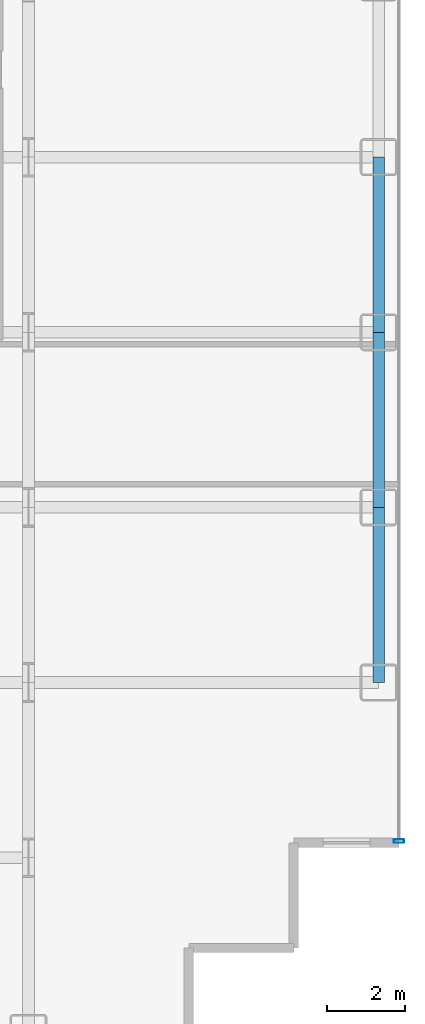
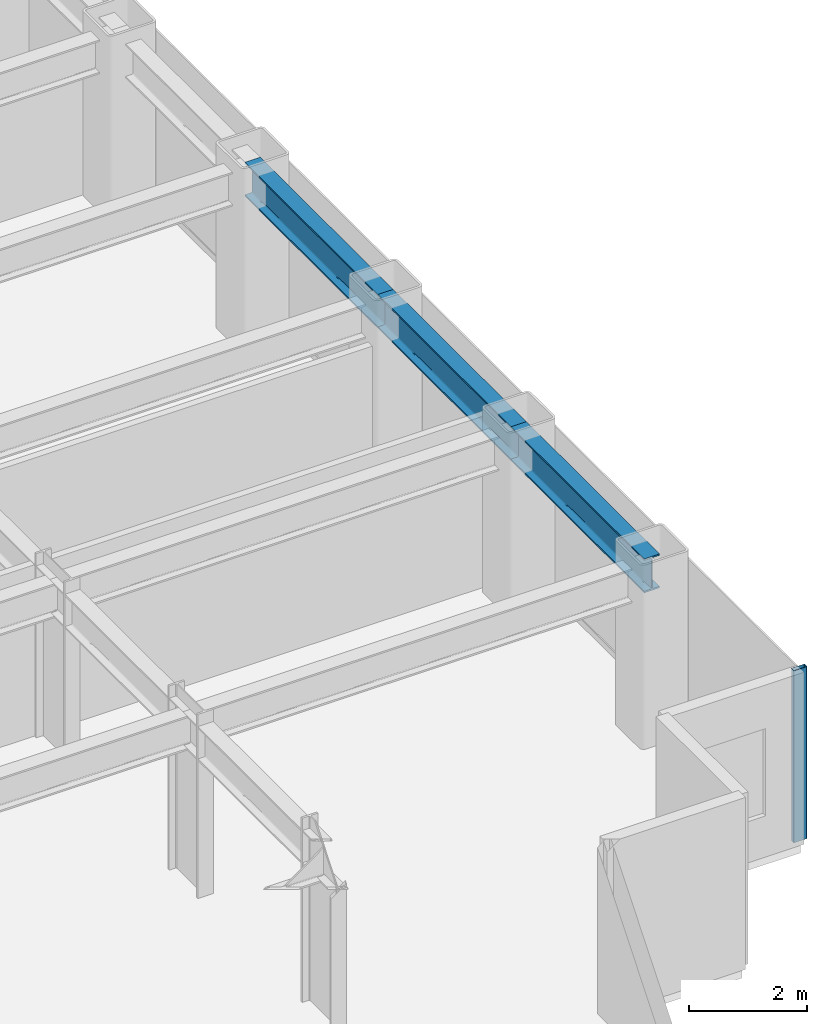
# One storey, part 16 of 26: 3 beams, 1 member, 1 element without a shape of its own.
"""IFC4 building model written with IfcOpenShell, lengths in metres."""

from ifc_helpers import new_model, si_unit, direction, frame, origin, origin_2d, place, context, subcontext, project, spatial, hollow_rectangle, i_section, extrude, source, transform, mapped, material, layer, layer_set, material_profile, profile_set, type_object, element, aggregate, save


model = new_model("IFC4")

# Units and contexts
model_context = context("Model", 3, precision=1e-05, world=origin(), true_north=direction((0.0, 1.0)))
body_context = subcontext(model_context, "Body", "Model", "MODEL_VIEW")
ifc_project = project(units=[si_unit("LENGTHUNIT", "METRE"), si_unit("AREAUNIT", "SQUARE_METRE"), si_unit("VOLUMEUNIT", "CUBIC_METRE"), si_unit("PLANEANGLEUNIT", "RADIAN"), si_unit("MASSUNIT", "GRAM", prefix="KILO")], contexts=[model_context])

# Site, building, storey
site_placement = place(None, origin())
site = spatial("IfcSite", under=ifc_project, at=site_placement, CompositionType="ELEMENT")
building_placement = place(site_placement, origin())
building = spatial("IfcBuilding", under=site, at=building_placement, Name="Nefas-Gora Pilgrimage Tower", CompositionType="ELEMENT")
storey_placement = place(building_placement, frame((0.0, 0.0, 40.60009765625)))
storey = spatial("IfcBuildingStorey", under=building, at=storey_placement, Name="L08", CompositionType="ELEMENT", Elevation=40.60009765625)

# Beams
ifc_material_1 = material(Name="Steel S355", Category="steel")
ifc_material_profile_1 = material_profile(ifc_material_1, i_section(OverallWidth=0.300048828125, OverallDepth=0.699951171875, WebThickness=0.01708984375, FlangeThickness=0.031982421875, FilletRadius=0.027099609375, at=origin_2d()), Name="HEB 700")
ifc_profile_set_1 = profile_set([ifc_material_profile_1], Name="Steel S355")
beam_type = type_object("IfcBeamType", Name="BM-SPN-HEB600", PredefinedType="SPANDREL", material=ifc_profile_set_1)
shared_shape_1 = source(origin(), body_context, "Body", "SweptSolid", [
    extrude(i_section(OverallWidth=0.300048828125, OverallDepth=0.699951171875, WebThickness=0.01708984375, FlangeThickness=0.031982421875, FilletRadius=0.027099609375, at=origin_2d()), origin(), (0.0, 0.0, 1.0), 4.5),
])
for number, where, z_axis, x_axis, name in (
    (1, (33.75, -13.5, 3.199951171875), (0.0, 1.0, 0.0), (-1.0, 0.0, 0.0), "L08 SP-01 beam"),
    (2, (33.75, -9.0, 3.199951171875), (0.0, 1.0, 0.0), (-1.0, 0.0, 0.0), "L08 SP-01 beam"),
    (3, (33.75, -4.5, 3.199951171875), (0.0, 1.0, 0.0), (-1.0, 0.0, 0.0), "L08 SP-01 beam"),
):
    element("IfcBeam", number, at=place(storey_placement, frame(where, z_axis=z_axis, x_axis=x_axis)), inside=storey, type_object=beam_type, Name=name, PredefinedType="SPANDREL", context=body_context, shape_type="MappedRepresentation", body=[
        mapped(shared_shape_1, transform((0.0, 0.0, 0.0), x_axis=(1.0, 0.0, 0.0), y_axis=(0.0, 1.0, 0.0), z_axis=(0.0, 0.0, 1.0), scale=1.0)),
    ])

# Curtain wall, member
ifc_material_2 = material(Name="Dark ceramic-fritted solar-control aluminium-glass curtain wall", Category="aluminium")
ifc_layer = layer(ifc_material_2, 0.219970703125)
ifc_layer_set = layer_set([ifc_layer], Name="Dark ceramic-fritted solar-control aluminium-glass curtain wall")
curtain_wall_type = type_object("IfcCurtainWallType", Name="CW-SYS-2", PredefinedType="NOTDEFINED", material=ifc_layer_set)
curtain_wall_placement = place(storey_placement, origin())
curtain_wall = element("IfcCurtainWall", 4, at=curtain_wall_placement, inside=storey, type_object=curtain_wall_type, Name="L08 Unitised Curtain Wall CW2", PredefinedType="NOTDEFINED")
ifc_material_3 = material(Name="Anodised architectural aluminium", Category="aluminium")
ifc_material_profile_2 = material_profile(ifc_material_3, hollow_rectangle(XDim=0.090087890625, YDim=0.260009765625, WallThickness=0.006103515625, InnerFilletRadius=0.006103515625, OuterFilletRadius=0.011962890625, at=origin_2d()), Name="ALU MULLION 90x260")
ifc_profile_set_2 = profile_set([ifc_material_profile_2], Name="Anodised architectural aluminium")
member_type = type_object("IfcMemberType", Name="CWM-MUL-2", PredefinedType="MULLION", material=ifc_profile_set_2)
shared_shape_2 = source(origin(), body_context, "Body", "SweptSolid", [
    extrude(hollow_rectangle(XDim=0.090087890625, YDim=0.260009765625, WallThickness=0.006103515625, InnerFilletRadius=0.006103515625, OuterFilletRadius=0.011962890625, at=origin_2d()), origin(), (0.0, 0.0, 1.0), 3.5498046875),
])
member_placement = place(storey_placement, frame((34.27001953125, -17.574951171875, 0.0), z_axis=(0.0, 0.0, 1.0), x_axis=(0.0, 1.0, 0.0)))
member = element("IfcMember", 5, at=member_placement, type_object=member_type, Name="CW2 Mullion 1", PredefinedType="MULLION", context=body_context, shape_type="MappedRepresentation", body=[
    mapped(shared_shape_2, transform((0.0, 0.0, 0.0), x_axis=(1.0, 0.0, 0.0), y_axis=(0.0, 1.0, 0.0), z_axis=(0.0, 0.0, 1.0), scale=1.0)),
])
aggregate(curtain_wall, [member])

save(model, "model.ifc")
